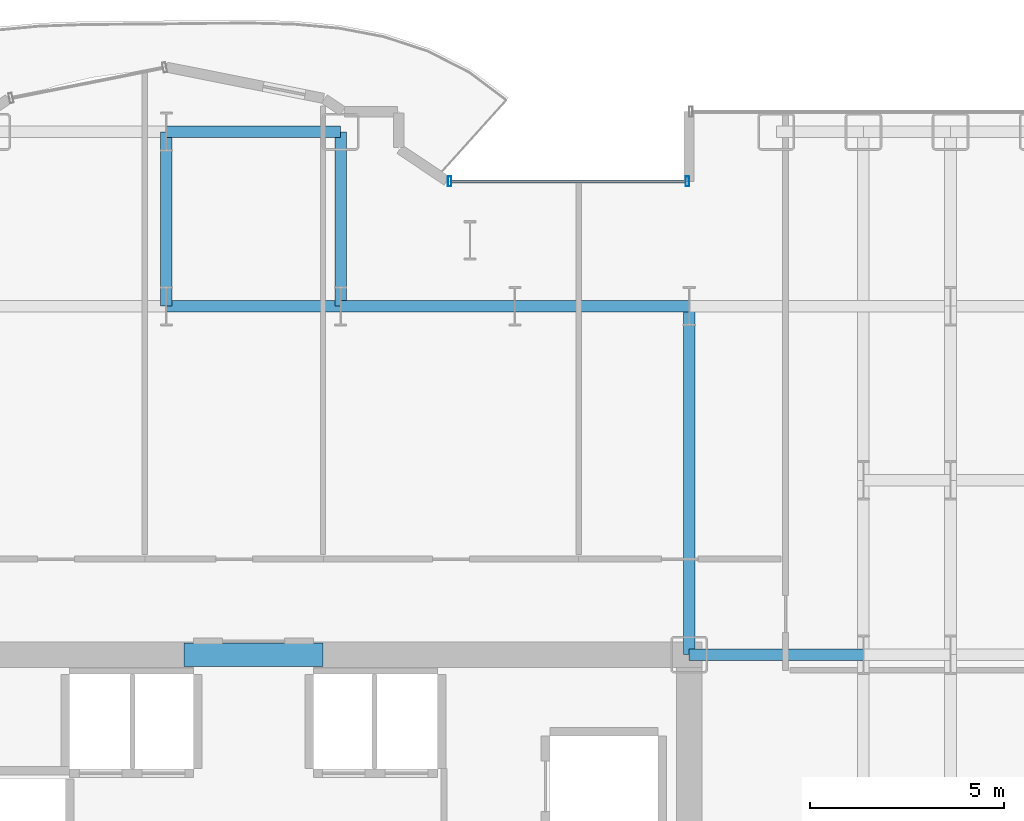
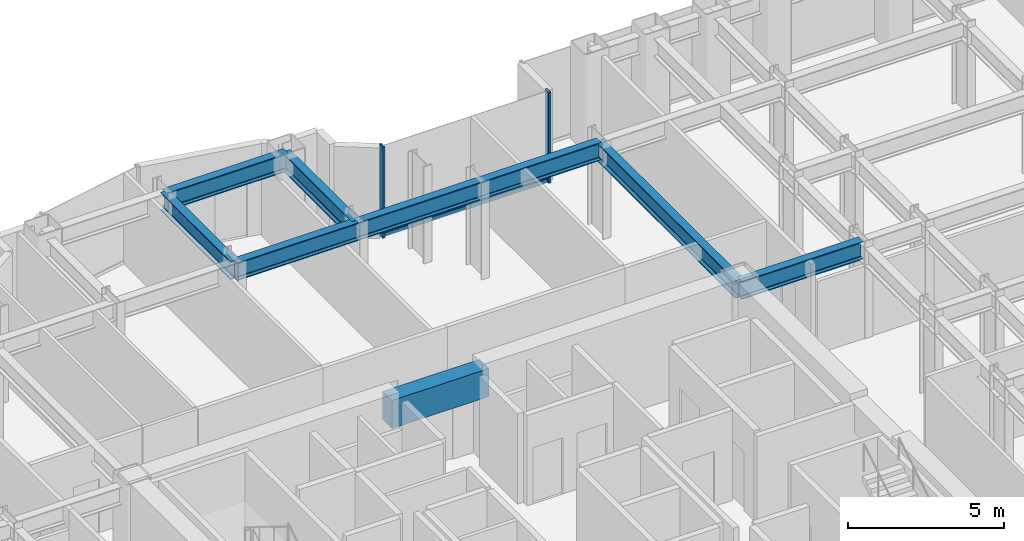
# One storey, part 14 of 29: 9 beams, 3 members, 1 element without a shape of its own.
"""IFC4 building model written with IfcOpenShell, lengths in metres."""

from ifc_helpers import new_model, si_unit, direction, frame, origin, origin_2d, place, context, subcontext, project, spatial, rectangle, hollow_rectangle, i_section, extrude, source, transform, mapped, material, layer, layer_set, material_profile, profile_set, type_object, element, aggregate, save


model = new_model("IFC4")

# Units and contexts
model_context = context("Model", 3, precision=1e-05, world=origin(), true_north=direction((0.0, 1.0)))
body_context = subcontext(model_context, "Body", "Model", "MODEL_VIEW")
ifc_project = project(units=[si_unit("LENGTHUNIT", "METRE"), si_unit("AREAUNIT", "SQUARE_METRE"), si_unit("VOLUMEUNIT", "CUBIC_METRE"), si_unit("PLANEANGLEUNIT", "RADIAN"), si_unit("MASSUNIT", "GRAM", prefix="KILO")], contexts=[model_context])

# Site, building, storey
site_placement = place(None, origin())
site = spatial("IfcSite", under=ifc_project, at=site_placement, CompositionType="ELEMENT")
building_placement = place(site_placement, origin())
building = spatial("IfcBuilding", under=site, at=building_placement, Name="Nefas-Gora Pilgrimage Tower", CompositionType="ELEMENT")
storey_placement = place(building_placement, frame((0.0, 0.0, 67.199951171875)))
storey = spatial("IfcBuildingStorey", under=building, at=storey_placement, Name="L15", CompositionType="ELEMENT", Elevation=67.199951171875)

# Beams
ifc_material_1 = material(Name="Concrete C60/75", Category="concrete")
ifc_material_profile_1 = material_profile(ifc_material_1, rectangle(XDim=0.60009765625, YDim=1.10009765625, at=origin_2d()), Name="RC 600x1100")
ifc_profile_set_1 = profile_set([ifc_material_profile_1], Name="Concrete C60/75")
beam_type_1 = type_object("IfcBeamType", Name="BM-LIN-RC1100", PredefinedType="LINTEL", material=ifc_profile_set_1)
shared_shape_1 = source(origin(), body_context, "Body", "SweptSolid", [
    extrude(rectangle(XDim=0.60009765625, YDim=1.10009765625, at=origin_2d()), origin(), (0.0, 0.0, 1.0), 3.60009765625),
])
beam_1_placement = place(storey_placement, frame((-1.800048828125, 9.0, 3.0), z_axis=(1.0, 0.0, 0.0), x_axis=(0.0, 1.0, 0.0)))
element("IfcBeam", 1, at=beam_1_placement, inside=storey, type_object=beam_type_1, Name="L15 Core Coupling Lintel Beam N", PredefinedType="LINTEL", context=body_context, shape_type="MappedRepresentation", body=[
    mapped(shared_shape_1, transform((0.0, 0.0, 0.0), x_axis=(1.0, 0.0, 0.0), y_axis=(0.0, 1.0, 0.0), z_axis=(0.0, 0.0, 1.0), scale=1.0)),
])
ifc_material_2 = material(Name="Steel S355", Category="steel")
ifc_material_profile_2 = material_profile(ifc_material_2, i_section(OverallWidth=0.300048828125, OverallDepth=0.699951171875, WebThickness=0.01708984375, FlangeThickness=0.031982421875, FilletRadius=0.027099609375, at=origin_2d()), Name="HEB 700")
ifc_profile_set_2 = profile_set([ifc_material_profile_2], Name="Steel S355")
beam_type_2 = type_object("IfcBeamType", Name="BM-GIR-HEB700", PredefinedType="BEAM", material=ifc_profile_set_2)
shared_shape_2 = source(origin(), body_context, "Body", "SweptSolid", [
    extrude(i_section(OverallWidth=0.300048828125, OverallDepth=0.699951171875, WebThickness=0.01708984375, FlangeThickness=0.031982421875, FilletRadius=0.027099609375, at=origin_2d()), origin(), (0.0, 0.0, 1.0), 9.0),
])
beam_2_placement = place(storey_placement, frame((11.25, 9.0, 3.199951171875), z_axis=(0.0, 1.0, 0.0), x_axis=(-1.0, 0.0, 0.0)))
element("IfcBeam", 2, at=beam_2_placement, inside=storey, type_object=beam_type_2, Name="L15 G-02 beam", PredefinedType="BEAM", context=body_context, shape_type="MappedRepresentation", body=[
    mapped(shared_shape_2, transform((0.0, 0.0, 0.0), x_axis=(1.0, 0.0, 0.0), y_axis=(0.0, 1.0, 0.0), z_axis=(0.0, 0.0, 1.0), scale=1.0)),
])
shared_shape_3 = source(origin(), body_context, "Body", "SweptSolid", [
    extrude(i_section(OverallWidth=0.300048828125, OverallDepth=0.699951171875, WebThickness=0.01708984375, FlangeThickness=0.031982421875, FilletRadius=0.027099609375, at=origin_2d()), origin(), (0.0, 0.0, 1.0), 4.5),
])
for number, where, z_axis, x_axis, name in (
    (3, (-2.25, 18.0, 3.199951171875), (0.0, 1.0, 0.0), (-1.0, 0.0, 0.0), "L15 G-02 beam"),
    (4, (-2.25, 18.0, 3.199951171875), (1.0, 0.0, 0.0), (0.0, 1.0, 0.0), "L15 G-02 beam"),
    (5, (-2.25, 22.5, 3.199951171875), (1.0, 0.0, 0.0), (0.0, 1.0, 0.0), "L15 G-02 beam"),
    (6, (2.25, 18.0, 3.199951171875), (0.0, 1.0, 0.0), (-1.0, 0.0, 0.0), "L15 G-02 beam"),
    (7, (2.25, 18.0, 3.199951171875), (1.0, 0.0, 0.0), (0.0, 1.0, 0.0), "L15 G-02 beam"),
    (8, (6.75, 18.0, 3.199951171875), (1.0, 0.0, 0.0), (0.0, 1.0, 0.0), "L15 G-02 beam"),
    (9, (11.25, 9.0, 3.199951171875), (1.0, 0.0, 0.0), (0.0, 1.0, 0.0), "L15 G-02 beam"),
):
    element("IfcBeam", number, at=place(storey_placement, frame(where, z_axis=z_axis, x_axis=x_axis)), inside=storey, type_object=beam_type_2, Name=name, PredefinedType="BEAM", context=body_context, shape_type="MappedRepresentation", body=[
        mapped(shared_shape_3, transform((0.0, 0.0, 0.0), x_axis=(1.0, 0.0, 0.0), y_axis=(0.0, 1.0, 0.0), z_axis=(0.0, 0.0, 1.0), scale=1.0)),
    ])

# Curtain wall, members
ifc_material_3 = material(Name="Dark ceramic-fritted solar-control aluminium-glass curtain wall", Category="aluminium")
ifc_layer = layer(ifc_material_3, 0.219970703125)
ifc_layer_set = layer_set([ifc_layer], Name="Dark ceramic-fritted solar-control aluminium-glass curtain wall")
curtain_wall_type = type_object("IfcCurtainWallType", Name="CW-SYS-5", PredefinedType="NOTDEFINED", material=ifc_layer_set)
curtain_wall_placement = place(storey_placement, origin())
curtain_wall = element("IfcCurtainWall", 10, at=curtain_wall_placement, inside=storey, type_object=curtain_wall_type, Name="L15 Unitised Curtain Wall CW5", PredefinedType="NOTDEFINED")
ifc_material_4 = material(Name="Anodised architectural aluminium", Category="aluminium")
ifc_material_profile_3 = material_profile(ifc_material_4, hollow_rectangle(XDim=0.090087890625, YDim=0.260009765625, WallThickness=0.006103515625, InnerFilletRadius=0.006103515625, OuterFilletRadius=0.011962890625, at=origin_2d()), Name="ALU MULLION 90x260")
ifc_profile_set_3 = profile_set([ifc_material_profile_3], Name="Anodised architectural aluminium")
member_type_1 = type_object("IfcMemberType", Name="CWM-MUL-5", PredefinedType="MULLION", material=ifc_profile_set_3)
shared_shape_4 = source(origin(), body_context, "Body", "SweptSolid", [
    extrude(hollow_rectangle(XDim=0.090087890625, YDim=0.260009765625, WallThickness=0.006103515625, InnerFilletRadius=0.006103515625, OuterFilletRadius=0.011962890625, at=origin_2d()), origin(), (0.0, 0.0, 1.0), 3.550048828125),
])
member_1_placement = place(storey_placement, frame((11.205078125, 21.219970703125, 0.0), z_axis=(0.0, 0.0, 1.0), x_axis=(-1.0, 0.0, 0.0)))
member_1 = element("IfcMember", 11, at=member_1_placement, type_object=member_type_1, Name="CW5 Mullion 1", PredefinedType="MULLION", context=body_context, shape_type="MappedRepresentation", body=[
    mapped(shared_shape_4, transform((0.0, 0.0, 0.0), x_axis=(1.0, 0.0, 0.0), y_axis=(0.0, 1.0, 0.0), z_axis=(0.0, 0.0, 1.0), scale=1.0)),
])
member_2_placement = place(storey_placement, frame((5.06298828125, 21.219970703125, 0.0), z_axis=(0.0, 0.0, 1.0), x_axis=(-1.0, 0.0, 0.0)))
member_2 = element("IfcMember", 12, at=member_2_placement, type_object=member_type_1, Name="CW5 Mullion 2", PredefinedType="MULLION", context=body_context, shape_type="MappedRepresentation", body=[
    mapped(shared_shape_4, transform((0.0, 0.0, 0.0), x_axis=(1.0, 0.0, 0.0), y_axis=(0.0, 1.0, 0.0), z_axis=(0.0, 0.0, 1.0), scale=1.0)),
])
ifc_material_profile_4 = material_profile(ifc_material_4, hollow_rectangle(XDim=0.080078125, YDim=0.159912109375, WallThickness=0.00439453125, InnerFilletRadius=0.00439453125, OuterFilletRadius=0.009033203125, at=origin_2d()), Name="ALU TRANSOM 80x160")
ifc_profile_set_4 = profile_set([ifc_material_profile_4], Name="Anodised architectural aluminium")
member_type_2 = type_object("IfcMemberType", Name="CWM-TRN-5", PredefinedType="USERDEFINED", material=ifc_profile_set_4)
shared_shape_5 = source(origin(), body_context, "Body", "SweptSolid", [
    extrude(hollow_rectangle(XDim=0.080078125, YDim=0.159912109375, WallThickness=0.00439453125, InnerFilletRadius=0.00439453125, OuterFilletRadius=0.009033203125, at=origin_2d()), origin(), (0.0, 0.0, 1.0), 6.052001953125),
])
member_3_placement = place(storey_placement, frame((11.159912109375, 21.219970703125, 0.050048828125), z_axis=(-1.0, 0.0, 0.0), x_axis=(0.0, -1.0, 0.0)))
member_3 = element("IfcMember", 13, at=member_3_placement, type_object=member_type_2, Name="CW5 Spandrel Transom", ObjectType="TRANSOM", PredefinedType="USERDEFINED", context=body_context, shape_type="MappedRepresentation", body=[
    mapped(shared_shape_5, transform((0.0, 0.0, 0.0), x_axis=(1.0, 0.0, 0.0), y_axis=(0.0, 1.0, 0.0), z_axis=(0.0, 0.0, 1.0), scale=1.0)),
])
aggregate(curtain_wall, [member_1, member_2, member_3])

save(model, "model.ifc")
